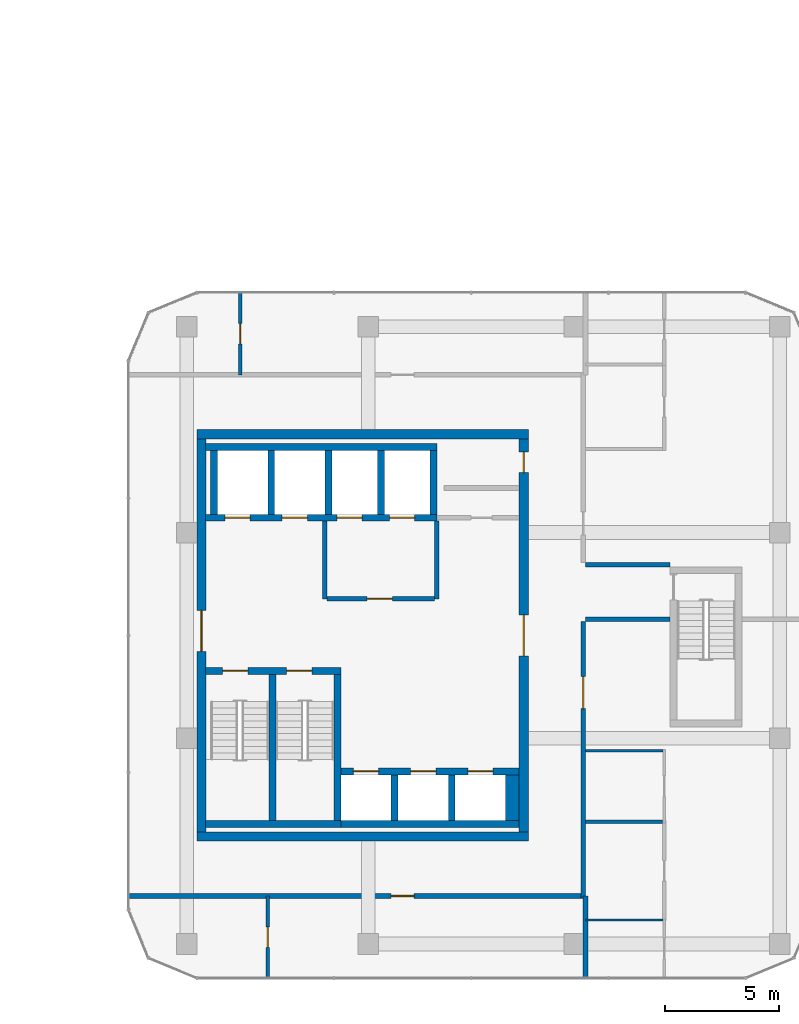
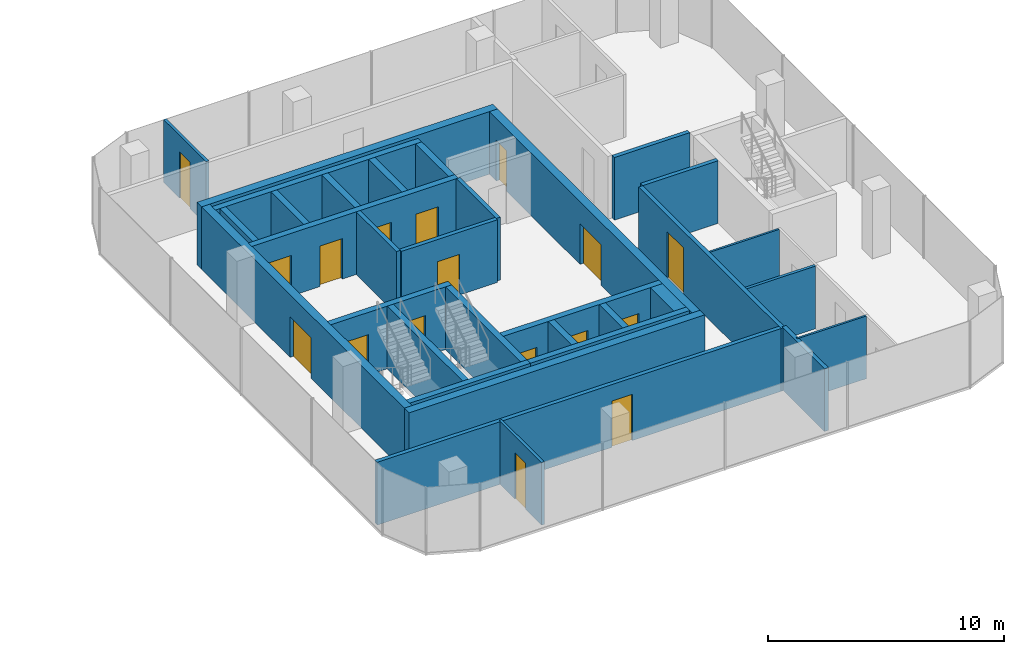
# One storey, part 17 of 22: 33 walls, 17 doors, 17 openings.
"""IFC4 building model written with IfcOpenShell, lengths in metres."""

from ifc_helpers import new_model, si_unit, direction, frame, frame_2d, origin, place, context, subcontext, project, spatial, rectangle, extrude, material, layer, layer_set, type_object, element, fill, save


model = new_model("IFC4")

# Units and contexts
model_context = context("Model", 3, precision=1e-05, world=origin(), true_north=direction((0.0, 1.0)))
body_context = subcontext(model_context, "Body", "Model", "MODEL_VIEW")
ifc_project = project(units=[si_unit("LENGTHUNIT", "METRE"), si_unit("AREAUNIT", "SQUARE_METRE"), si_unit("VOLUMEUNIT", "CUBIC_METRE"), si_unit("PLANEANGLEUNIT", "RADIAN"), si_unit("MASSUNIT", "GRAM", prefix="KILO")], contexts=[model_context])

# Site, building, storey
site_placement = place(None, origin())
site = spatial("IfcSite", under=ifc_project, at=site_placement, CompositionType="ELEMENT")
building_placement = place(site_placement, origin())
building = spatial("IfcBuilding", under=site, at=building_placement, Name="Plateau Cross Towers", CompositionType="ELEMENT")
storey_placement = place(building_placement, frame((0.0, 0.0, 106.300048828125)))
storey = spatial("IfcBuildingStorey", under=building, at=storey_placement, Name="L27", CompositionType="ELEMENT", Elevation=106.300048828125)

# Wall
ifc_material_1 = material(Name="Concrete block, plastered both sides", Category="concrete")
ifc_layer_1 = layer(ifc_material_1, 0.199951171875)
ifc_layer_set_1 = layer_set([ifc_layer_1], Name="Concrete block, plastered both sides")
wall_type_1 = type_object("IfcWallType", Name="Core partition 200", PredefinedType="PARTITIONING", material=ifc_layer_set_1)
wall_1_placement = place(storey_placement, frame((80.60009765625, 10.60009765625, 0.0), z_axis=(0.0, 0.0, 1.0), x_axis=(0.0, 1.0, 0.0)))
element("IfcWall", 1, at=wall_1_placement, inside=storey, type_object=wall_type_1, Name="Core partition", PredefinedType="PARTITIONING", context=body_context, shape_type="SweptSolid", body=[
    extrude(rectangle(XDim=3.39990234375, YDim=0.199951171875, at=frame_2d((1.699951171875, 0.0))), origin(), (0.0, 0.0, 1.0), 3.25),
])

# Wall, opening, door
wall_2_placement = place(storey_placement, frame((80.699951171875, 10.60009765625, 0.0), z_axis=(0.0, 0.0, 1.0), x_axis=(1.0, 0.0, 0.0)))
wall_2 = element("IfcWall", 2, at=wall_2_placement, inside=storey, type_object=wall_type_1, Name="Core partition", PredefinedType="PARTITIONING", context=body_context, shape_type="SweptSolid", body=[
    extrude(rectangle(XDim=4.699951171875, YDim=0.199951171875, at=frame_2d((2.35009765625, 0.0))), origin(), (0.0, 0.0, 1.0), 3.25),
])
opening_1_placement = place(wall_2_placement, frame((1.75, 0.0, 0.0)))
opening_1 = element("IfcOpeningElement", 3, at=opening_1_placement, cuts=wall_2, Name="Opening FFD", PredefinedType="OPENING", context=body_context, shape_type="SweptSolid", body=[
    extrude(rectangle(XDim=1.10009765625, YDim=2.10009765625, at=frame_2d((0.550048828125, 1.050048828125))), frame((0.0, 0.10986328125, 0.0), z_axis=(0.0, -1.0, 0.0), x_axis=(1.0, 0.0, 0.0)), (0.0, 0.0, 1.0), 0.219970703125),
])
ifc_material_2 = material(Name="Steel, fire-resisting leaf", Category="steel")
door_type_1 = type_object("IfcDoorType", Name="Firefighting lobby door 1100", OperationType="NOTDEFINED", PredefinedType="DOOR", material=ifc_material_2)
door_1_placement = place(opening_1_placement, origin())
door_1 = element("IfcDoor", 4, at=door_1_placement, inside=storey, type_object=door_type_1, Name="Firefighting lobby door FFD", OperationType="SINGLE_SWING_LEFT", OverallHeight=2.10009765625, OverallWidth=1.10009765625, PredefinedType="DOOR", context=body_context, shape_type="SweptSolid", body=[
    extrude(rectangle(XDim=1.10009765625, YDim=2.10009765625, at=frame_2d((0.550048828125, 1.050048828125))), frame((0.0, 0.02490234375, 0.0), z_axis=(0.0, -1.0, 0.0), x_axis=(1.0, 0.0, 0.0)), (0.0, 0.0, 1.0), 0.050048828125),
])
fill(opening_1, door_1)

# Walls
wall_3_placement = place(storey_placement, frame((85.5, 10.60009765625, 0.0), z_axis=(0.0, 0.0, 1.0), x_axis=(0.0, 1.0, 0.0)))
element("IfcWall", 5, at=wall_3_placement, inside=storey, type_object=wall_type_1, Name="Core partition", PredefinedType="PARTITIONING", context=body_context, shape_type="SweptSolid", body=[
    extrude(rectangle(XDim=3.39990234375, YDim=0.199951171875, at=frame_2d((1.699951171875, 0.0))), origin(), (0.0, 0.0, 1.0), 3.25),
])
ifc_material_3 = material(Name="Concrete C60/75", Category="concrete")
ifc_layer_2 = layer(ifc_material_3, 0.300048828125)
ifc_layer_set_2 = layer_set([ifc_layer_2], Name="Concrete C60/75")
wall_type_2 = type_object("IfcWallType", Name="Core shaft wall 300", PredefinedType="SHEAR", material=ifc_layer_set_2)
wall_4_placement = place(storey_placement, frame((75.3798828125, 0.75, 0.0), z_axis=(0.0, 0.0, 1.0), x_axis=(1.0, 0.0, 0.0)))
element("IfcWall", 6, at=wall_4_placement, inside=storey, type_object=wall_type_2, Name="B-sb-stS@L27", PredefinedType="SHEAR", context=body_context, shape_type="SweptSolid", body=[
    extrude(rectangle(XDim=5.920166015625, YDim=0.300048828125, at=frame_2d((2.9599609375, 0.0))), origin(), (0.0, 0.0, 1.0), 3.25),
])

# Wall, openings, doors
wall_5_placement = place(storey_placement, frame((75.3798828125, 7.449951171875, 0.0), z_axis=(0.0, 0.0, 1.0), x_axis=(1.0, 0.0, 0.0)))
wall_5 = element("IfcWall", 7, at=wall_5_placement, inside=storey, type_object=wall_type_2, Name="B-sb-stN@L27", PredefinedType="SHEAR", context=body_context, shape_type="SweptSolid", body=[
    extrude(rectangle(XDim=5.920166015625, YDim=0.300048828125, at=frame_2d((2.9599609375, 0.0))), origin(), (0.0, 0.0, 1.0), 3.25),
])
opening_2_placement = place(wall_5_placement, frame((0.75, 0.0, 0.0)))
opening_2 = element("IfcOpeningElement", 8, at=opening_2_placement, cuts=wall_5, Name="Opening SD", PredefinedType="OPENING", context=body_context, shape_type="SweptSolid", body=[
    extrude(rectangle(XDim=1.10009765625, YDim=2.10009765625, at=frame_2d((0.550048828125, 1.050048828125))), frame((0.0, 0.159912109375, 0.0), z_axis=(0.0, -1.0, 0.0), x_axis=(1.0, 0.0, 0.0)), (0.0, 0.0, 1.0), 0.320068359375),
])
opening_3_placement = place(wall_5_placement, frame((3.550048828125, 0.0, 0.0)))
opening_3 = element("IfcOpeningElement", 9, at=opening_3_placement, cuts=wall_5, Name="Opening SD", PredefinedType="OPENING", context=body_context, shape_type="SweptSolid", body=[
    extrude(rectangle(XDim=1.10009765625, YDim=2.10009765625, at=frame_2d((0.550048828125, 1.050048828125))), frame((0.0, 0.159912109375, 0.0), z_axis=(0.0, -1.0, 0.0), x_axis=(1.0, 0.0, 0.0)), (0.0, 0.0, 1.0), 0.320068359375),
])
door_type_2 = type_object("IfcDoorType", Name="Stair door 1100", OperationType="NOTDEFINED", PredefinedType="DOOR", material=ifc_material_2)
door_2_placement = place(opening_2_placement, origin())
door_2 = element("IfcDoor", 10, at=door_2_placement, inside=storey, type_object=door_type_2, Name="Stair door SD", OperationType="SINGLE_SWING_RIGHT", OverallHeight=2.10009765625, OverallWidth=1.10009765625, PredefinedType="DOOR", context=body_context, shape_type="SweptSolid", body=[
    extrude(rectangle(XDim=1.10009765625, YDim=2.10009765625, at=frame_2d((0.550048828125, 1.050048828125))), frame((0.0, 0.02490234375, 0.0), z_axis=(0.0, -1.0, 0.0), x_axis=(1.0, 0.0, 0.0)), (0.0, 0.0, 1.0), 0.050048828125),
])
fill(opening_2, door_2)
door_3_placement = place(opening_3_placement, origin())
door_3 = element("IfcDoor", 11, at=door_3_placement, inside=storey, type_object=door_type_2, Name="Stair door SD", OperationType="SINGLE_SWING_LEFT", OverallHeight=2.10009765625, OverallWidth=1.10009765625, PredefinedType="DOOR", context=body_context, shape_type="SweptSolid", body=[
    extrude(rectangle(XDim=1.10009765625, YDim=2.10009765625, at=frame_2d((0.550048828125, 1.050048828125))), frame((0.0, 0.02490234375, 0.0), z_axis=(0.0, -1.0, 0.0), x_axis=(1.0, 0.0, 0.0)), (0.0, 0.0, 1.0), 0.050048828125),
])
fill(opening_3, door_3)

# Walls
for number, where, z_axis, x_axis, name in (
    (12, (78.300048828125, 0.89990234375, 0.0), (0.0, 0.0, 1.0), (0.0, 1.0, 0.0), "B-sb-st1@L27"),
    (13, (81.14990234375, 0.89990234375, 0.0), (0.0, 0.0, 1.0), (0.0, 1.0, 0.0), "B-sb-st2@L27"),
):
    element("IfcWall", number, at=place(storey_placement, frame(where, z_axis=z_axis, x_axis=x_axis)), inside=storey, type_object=wall_type_2, Name=name, PredefinedType="SHEAR", context=body_context, shape_type="SweptSolid", body=[
        extrude(rectangle(XDim=6.400146484375, YDim=0.300048828125, at=frame_2d((3.2001953125, 0.0))), origin(), (0.0, 0.0, 1.0), 3.25),
    ])
wall_6_placement = place(storey_placement, frame((81.300048828125, 0.75, 0.0), z_axis=(0.0, 0.0, 1.0), x_axis=(1.0, 0.0, 0.0)))
element("IfcWall", 14, at=wall_6_placement, inside=storey, type_object=wall_type_2, Name="B-sb-back@L27", PredefinedType="SHEAR", context=body_context, shape_type="SweptSolid", body=[
    extrude(rectangle(XDim=7.800048828125, YDim=0.300048828125, at=frame_2d((3.89990234375, 0.0))), origin(), (0.0, 0.0, 1.0), 3.25),
])
for number, where, z_axis, x_axis, name in (
    (15, (83.64990234375, 0.89990234375, 0.0), (0.0, 0.0, 1.0), (0.0, 1.0, 0.0), "B-sb-v1@L27"),
    (16, (86.14990234375, 0.89990234375, 0.0), (0.0, 0.0, 1.0), (0.0, 1.0, 0.0), "B-sb-v2@L27"),
):
    element("IfcWall", number, at=place(storey_placement, frame(where, z_axis=z_axis, x_axis=x_axis)), inside=storey, type_object=wall_type_2, Name=name, PredefinedType="SHEAR", context=body_context, shape_type="SweptSolid", body=[
        extrude(rectangle(XDim=2.0, YDim=0.300048828125, at=frame_2d((1.0, 0.0))), origin(), (0.0, 0.0, 1.0), 3.25),
    ])

# Wall, openings, doors
wall_7_placement = place(storey_placement, frame((81.300048828125, 3.050048828125, 0.0), z_axis=(0.0, 0.0, 1.0), x_axis=(1.0, 0.0, 0.0)))
wall_7 = element("IfcWall", 17, at=wall_7_placement, inside=storey, type_object=wall_type_2, Name="B-sb-front@L27", PredefinedType="SHEAR", context=body_context, shape_type="SweptSolid", body=[
    extrude(rectangle(XDim=7.800048828125, YDim=0.300048828125, at=frame_2d((3.89990234375, 0.0))), origin(), (0.0, 0.0, 1.0), 3.25),
])
opening_4_placement = place(wall_7_placement, frame((0.550048828125, 0.0, 0.0)))
opening_4 = element("IfcOpeningElement", 18, at=opening_4_placement, cuts=wall_7, Name="Opening LD", PredefinedType="OPENING", context=body_context, shape_type="SweptSolid", body=[
    extrude(rectangle(XDim=1.10009765625, YDim=2.10009765625, at=frame_2d((0.550048828125, 1.050048828125))), frame((0.0, 0.159912109375, 0.0), z_axis=(0.0, -1.0, 0.0), x_axis=(1.0, 0.0, 0.0)), (0.0, 0.0, 1.0), 0.320068359375),
])
opening_5_placement = place(wall_7_placement, frame((3.050048828125, 0.0, 0.0)))
opening_5 = element("IfcOpeningElement", 19, at=opening_5_placement, cuts=wall_7, Name="Opening LD", PredefinedType="OPENING", context=body_context, shape_type="SweptSolid", body=[
    extrude(rectangle(XDim=1.10009765625, YDim=2.10009765625, at=frame_2d((0.550048828125, 1.050048828125))), frame((0.0, 0.159912109375, 0.0), z_axis=(0.0, -1.0, 0.0), x_axis=(1.0, 0.0, 0.0)), (0.0, 0.0, 1.0), 0.320068359375),
])
opening_6_placement = place(wall_7_placement, frame((5.550048828125, 0.0, 0.0)))
opening_6 = element("IfcOpeningElement", 20, at=opening_6_placement, cuts=wall_7, Name="Opening LD", PredefinedType="OPENING", context=body_context, shape_type="SweptSolid", body=[
    extrude(rectangle(XDim=1.10009765625, YDim=2.10009765625, at=frame_2d((0.550048828125, 1.050048828125))), frame((0.0, 0.159912109375, 0.0), z_axis=(0.0, -1.0, 0.0), x_axis=(1.0, 0.0, 0.0)), (0.0, 0.0, 1.0), 0.320068359375),
])
ifc_material_4 = material(Name="Stainless steel, fire-resisting sliding leaves", Category="steel")
door_type_3 = type_object("IfcDoorType", Name="Lift landing door 1100", OperationType="NOTDEFINED", PredefinedType="DOOR", material=ifc_material_4)
door_4_placement = place(opening_4_placement, origin())
door_4 = element("IfcDoor", 21, at=door_4_placement, inside=storey, type_object=door_type_3, Name="Lift landing door LD", OperationType="DOUBLE_DOOR_SLIDING", OverallHeight=2.10009765625, OverallWidth=1.10009765625, PredefinedType="DOOR", context=body_context, shape_type="SweptSolid", body=[
    extrude(rectangle(XDim=1.10009765625, YDim=2.10009765625, at=frame_2d((0.550048828125, 1.050048828125))), frame((0.0, 0.02490234375, 0.0), z_axis=(0.0, -1.0, 0.0), x_axis=(1.0, 0.0, 0.0)), (0.0, 0.0, 1.0), 0.050048828125),
])
fill(opening_4, door_4)
door_5_placement = place(opening_5_placement, origin())
door_5 = element("IfcDoor", 22, at=door_5_placement, inside=storey, type_object=door_type_3, Name="Lift landing door LD", OperationType="DOUBLE_DOOR_SLIDING", OverallHeight=2.10009765625, OverallWidth=1.10009765625, PredefinedType="DOOR", context=body_context, shape_type="SweptSolid", body=[
    extrude(rectangle(XDim=1.10009765625, YDim=2.10009765625, at=frame_2d((0.550048828125, 1.050048828125))), frame((0.0, 0.02490234375, 0.0), z_axis=(0.0, -1.0, 0.0), x_axis=(1.0, 0.0, 0.0)), (0.0, 0.0, 1.0), 0.050048828125),
])
fill(opening_5, door_5)
door_6_placement = place(opening_6_placement, origin())
door_6 = element("IfcDoor", 23, at=door_6_placement, inside=storey, type_object=door_type_3, Name="Lift landing door LD", OperationType="DOUBLE_DOOR_SLIDING", OverallHeight=2.10009765625, OverallWidth=1.10009765625, PredefinedType="DOOR", context=body_context, shape_type="SweptSolid", body=[
    extrude(rectangle(XDim=1.10009765625, YDim=2.10009765625, at=frame_2d((0.550048828125, 1.050048828125))), frame((0.0, 0.02490234375, 0.0), z_axis=(0.0, -1.0, 0.0), x_axis=(1.0, 0.0, 0.0)), (0.0, 0.0, 1.0), 0.050048828125),
])
fill(opening_6, door_6)

# Wall
wall_8_placement = place(storey_placement, frame((75.3798828125, 17.25, 0.0), z_axis=(0.0, 0.0, 1.0), x_axis=(1.0, 0.0, 0.0)))
element("IfcWall", 24, at=wall_8_placement, inside=storey, type_object=wall_type_2, Name="B-nb-back@L27", PredefinedType="SHEAR", context=body_context, shape_type="SweptSolid", body=[
    extrude(rectangle(XDim=10.1201171875, YDim=0.300048828125, at=frame_2d((5.06005859375, 0.0))), origin(), (0.0, 0.0, 1.0), 3.25),
])

# Wall, openings, doors
wall_9_placement = place(storey_placement, frame((75.3798828125, 14.14990234375, 0.0), z_axis=(0.0, 0.0, 1.0), x_axis=(1.0, 0.0, 0.0)))
wall_9 = element("IfcWall", 25, at=wall_9_placement, inside=storey, type_object=wall_type_2, Name="B-nb-front@L27", PredefinedType="SHEAR", context=body_context, shape_type="SweptSolid", body=[
    extrude(rectangle(XDim=10.1201171875, YDim=0.300048828125, at=frame_2d((5.06005859375, 0.0))), origin(), (0.0, 0.0, 1.0), 3.25),
])
opening_7_placement = place(wall_9_placement, frame((0.85009765625, 0.0, 0.0)))
opening_7 = element("IfcOpeningElement", 26, at=opening_7_placement, cuts=wall_9, Name="Opening LD", PredefinedType="OPENING", context=body_context, shape_type="SweptSolid", body=[
    extrude(rectangle(XDim=1.10009765625, YDim=2.10009765625, at=frame_2d((0.550048828125, 1.050048828125))), frame((0.0, 0.159912109375, 0.0), z_axis=(0.0, -1.0, 0.0), x_axis=(1.0, 0.0, 0.0)), (0.0, 0.0, 1.0), 0.320068359375),
])
opening_8_placement = place(wall_9_placement, frame((3.35009765625, 0.0, 0.0)))
opening_8 = element("IfcOpeningElement", 27, at=opening_8_placement, cuts=wall_9, Name="Opening LD", PredefinedType="OPENING", context=body_context, shape_type="SweptSolid", body=[
    extrude(rectangle(XDim=1.10009765625, YDim=2.10009765625, at=frame_2d((0.550048828125, 1.050048828125))), frame((0.0, 0.159912109375, 0.0), z_axis=(0.0, -1.0, 0.0), x_axis=(1.0, 0.0, 0.0)), (0.0, 0.0, 1.0), 0.320068359375),
])
opening_9_placement = place(wall_9_placement, frame((5.75, 0.0, 0.0)))
opening_9 = element("IfcOpeningElement", 28, at=opening_9_placement, cuts=wall_9, Name="Opening LD", PredefinedType="OPENING", context=body_context, shape_type="SweptSolid", body=[
    extrude(rectangle(XDim=1.10009765625, YDim=2.10009765625, at=frame_2d((0.550048828125, 1.050048828125))), frame((0.0, 0.159912109375, 0.0), z_axis=(0.0, -1.0, 0.0), x_axis=(1.0, 0.0, 0.0)), (0.0, 0.0, 1.0), 0.320068359375),
])
opening_10_placement = place(wall_9_placement, frame((8.050048828125, 0.0, 0.0)))
opening_10 = element("IfcOpeningElement", 29, at=opening_10_placement, cuts=wall_9, Name="Opening LD", PredefinedType="OPENING", context=body_context, shape_type="SweptSolid", body=[
    extrude(rectangle(XDim=1.10009765625, YDim=2.10009765625, at=frame_2d((0.550048828125, 1.050048828125))), frame((0.0, 0.159912109375, 0.0), z_axis=(0.0, -1.0, 0.0), x_axis=(1.0, 0.0, 0.0)), (0.0, 0.0, 1.0), 0.320068359375),
])
door_7_placement = place(opening_7_placement, origin())
door_7 = element("IfcDoor", 30, at=door_7_placement, inside=storey, type_object=door_type_3, Name="Lift landing door LD", OperationType="DOUBLE_DOOR_SLIDING", OverallHeight=2.10009765625, OverallWidth=1.10009765625, PredefinedType="DOOR", context=body_context, shape_type="SweptSolid", body=[
    extrude(rectangle(XDim=1.10009765625, YDim=2.10009765625, at=frame_2d((0.550048828125, 1.050048828125))), frame((0.0, 0.02490234375, 0.0), z_axis=(0.0, -1.0, 0.0), x_axis=(1.0, 0.0, 0.0)), (0.0, 0.0, 1.0), 0.050048828125),
])
fill(opening_7, door_7)
door_8_placement = place(opening_8_placement, origin())
door_8 = element("IfcDoor", 31, at=door_8_placement, inside=storey, type_object=door_type_3, Name="Lift landing door LD", OperationType="DOUBLE_DOOR_SLIDING", OverallHeight=2.10009765625, OverallWidth=1.10009765625, PredefinedType="DOOR", context=body_context, shape_type="SweptSolid", body=[
    extrude(rectangle(XDim=1.10009765625, YDim=2.10009765625, at=frame_2d((0.550048828125, 1.050048828125))), frame((0.0, 0.02490234375, 0.0), z_axis=(0.0, -1.0, 0.0), x_axis=(1.0, 0.0, 0.0)), (0.0, 0.0, 1.0), 0.050048828125),
])
fill(opening_8, door_8)
door_9_placement = place(opening_9_placement, origin())
door_9 = element("IfcDoor", 32, at=door_9_placement, inside=storey, type_object=door_type_3, Name="Lift landing door LD", OperationType="DOUBLE_DOOR_SLIDING", OverallHeight=2.10009765625, OverallWidth=1.10009765625, PredefinedType="DOOR", context=body_context, shape_type="SweptSolid", body=[
    extrude(rectangle(XDim=1.10009765625, YDim=2.10009765625, at=frame_2d((0.550048828125, 1.050048828125))), frame((0.0, 0.02490234375, 0.0), z_axis=(0.0, -1.0, 0.0), x_axis=(1.0, 0.0, 0.0)), (0.0, 0.0, 1.0), 0.050048828125),
])
fill(opening_9, door_9)
door_10_placement = place(opening_10_placement, origin())
door_10 = element("IfcDoor", 33, at=door_10_placement, inside=storey, type_object=door_type_3, Name="Lift landing door LD", OperationType="DOUBLE_DOOR_SLIDING", OverallHeight=2.10009765625, OverallWidth=1.10009765625, PredefinedType="DOOR", context=body_context, shape_type="SweptSolid", body=[
    extrude(rectangle(XDim=1.10009765625, YDim=2.10009765625, at=frame_2d((0.550048828125, 1.050048828125))), frame((0.0, 0.02490234375, 0.0), z_axis=(0.0, -1.0, 0.0), x_axis=(1.0, 0.0, 0.0)), (0.0, 0.0, 1.0), 0.050048828125),
])
fill(opening_10, door_10)

# Walls
for number, where, z_axis, x_axis, name in (
    (34, (75.75, 14.300048828125, 0.0), (0.0, 0.0, 1.0), (0.0, 1.0, 0.0), "B-nb-v0@L27"),
    (35, (78.25, 14.300048828125, 0.0), (0.0, 0.0, 1.0), (0.0, 1.0, 0.0), "B-nb-v1@L27"),
    (36, (80.75, 14.300048828125, 0.0), (0.0, 0.0, 1.0), (0.0, 1.0, 0.0), "B-nb-v2@L27"),
    (37, (83.050048828125, 14.300048828125, 0.0), (0.0, 0.0, 1.0), (0.0, 1.0, 0.0), "B-nb-v3@L27"),
    (38, (85.35009765625, 14.300048828125, 0.0), (0.0, 0.0, 1.0), (0.0, 1.0, 0.0), "B-nb-v4@L27"),
):
    element("IfcWall", number, at=place(storey_placement, frame(where, z_axis=z_axis, x_axis=x_axis)), inside=storey, type_object=wall_type_2, Name=name, PredefinedType="SHEAR", context=body_context, shape_type="SweptSolid", body=[
        extrude(rectangle(XDim=2.800048828125, YDim=0.300048828125, at=frame_2d((1.39990234375, 0.0))), origin(), (0.0, 0.0, 1.0), 3.25),
    ])
ifc_layer_3 = layer(ifc_material_3, 0.60009765625)
ifc_layer_set_3 = layer_set([ifc_layer_3], Name="Concrete C60/75")
wall_type_3 = type_object("IfcWallType", Name="Core shaft wall 600", PredefinedType="SHEAR", material=ifc_layer_set_3)
wall_10_placement = place(storey_placement, frame((88.800048828125, 0.89990234375, 0.0), z_axis=(0.0, 0.0, 1.0), x_axis=(0.0, 1.0, 0.0)))
element("IfcWall", 39, at=wall_10_placement, inside=storey, type_object=wall_type_3, Name="B-sb-v3@L27", PredefinedType="SHEAR", context=body_context, shape_type="SweptSolid", body=[
    extrude(rectangle(XDim=2.0, YDim=0.60009765625, at=frame_2d((1.0, 0.0))), origin(), (0.0, 0.0, 1.0), 3.25),
])
ifc_layer_4 = layer(ifc_material_3, 0.39990234375)
ifc_layer_set_4 = layer_set([ifc_layer_4], Name="Concrete C60/75")
wall_type_4 = type_object("IfcWallType", Name="Core shell wall 400", PredefinedType="SHEAR", material=ifc_layer_set_4)
for number, where, z_axis, x_axis, name in (
    (40, (75.0, 0.199951171875, 0.0), (0.0, 0.0, 1.0), (1.0, 0.0, 0.0), "B-core-S@L27"),
    (41, (75.0, 17.800048828125, 0.0), (0.0, 0.0, 1.0), (1.0, 0.0, 0.0), "B-core-N@L27"),
):
    element("IfcWall", number, at=place(storey_placement, frame(where, z_axis=z_axis, x_axis=x_axis)), inside=storey, type_object=wall_type_4, Name=name, PredefinedType="SHEAR", context=body_context, shape_type="SweptSolid", body=[
        extrude(rectangle(XDim=14.5, YDim=0.39990234375, at=frame_2d((7.25, 0.0))), origin(), (0.0, 0.0, 1.0), 3.25),
    ])

# Wall, opening, door
wall_11_placement = place(storey_placement, frame((75.199951171875, 0.39990234375, 0.0), z_axis=(0.0, 0.0, 1.0), x_axis=(0.0, 1.0, 0.0)))
wall_11 = element("IfcWall", 42, at=wall_11_placement, inside=storey, type_object=wall_type_4, Name="B-core-W@L27", PredefinedType="SHEAR", context=body_context, shape_type="SweptSolid", body=[
    extrude(rectangle(XDim=17.2001953125, YDim=0.39990234375, at=frame_2d((8.60009765625, 0.0))), origin(), (0.0, 0.0, 1.0), 3.25),
])
opening_11_placement = place(wall_11_placement, frame((7.89990234375, 0.0, 0.0)))
opening_11 = element("IfcOpeningElement", 43, at=opening_11_placement, cuts=wall_11, Name="Opening CD", PredefinedType="OPENING", context=body_context, shape_type="SweptSolid", body=[
    extrude(rectangle(XDim=1.800048828125, YDim=2.10009765625, at=frame_2d((0.89990234375, 1.050048828125))), frame((0.0, 0.2099609375, 0.0), z_axis=(0.0, -1.0, 0.0), x_axis=(1.0, 0.0, 0.0)), (0.0, 0.0, 1.0), 0.419921875),
])
ifc_material_5 = material(Name="Steel, fire-resisting leaves", Category="steel")
door_type_4 = type_object("IfcDoorType", Name="Corridor door pair 1800", OperationType="NOTDEFINED", PredefinedType="DOOR", material=ifc_material_5)
door_11_placement = place(opening_11_placement, origin())
door_11 = element("IfcDoor", 44, at=door_11_placement, inside=storey, type_object=door_type_4, Name="Corridor door pair CD", OperationType="DOUBLE_DOOR_SINGLE_SWING", OverallHeight=2.10009765625, OverallWidth=1.800048828125, PredefinedType="DOOR", context=body_context, shape_type="SweptSolid", body=[
    extrude(rectangle(XDim=1.800048828125, YDim=2.10009765625, at=frame_2d((0.89990234375, 1.050048828125))), frame((0.0, 0.02490234375, 0.0), z_axis=(0.0, -1.0, 0.0), x_axis=(1.0, 0.0, 0.0)), (0.0, 0.0, 1.0), 0.050048828125),
])
fill(opening_11, door_11)

# Wall, openings, doors
wall_12_placement = place(storey_placement, frame((89.300048828125, 0.39990234375, 0.0), z_axis=(0.0, 0.0, 1.0), x_axis=(0.0, 1.0, 0.0)))
wall_12 = element("IfcWall", 45, at=wall_12_placement, inside=storey, type_object=wall_type_4, Name="B-core-E@L27", PredefinedType="SHEAR", context=body_context, shape_type="SweptSolid", body=[
    extrude(rectangle(XDim=17.2001953125, YDim=0.39990234375, at=frame_2d((8.60009765625, 0.0))), origin(), (0.0, 0.0, 1.0), 3.25),
])
opening_12_placement = place(wall_12_placement, frame((7.699951171875, 0.0, 0.0)))
opening_12 = element("IfcOpeningElement", 46, at=opening_12_placement, cuts=wall_12, Name="Opening CD", PredefinedType="OPENING", context=body_context, shape_type="SweptSolid", body=[
    extrude(rectangle(XDim=1.800048828125, YDim=2.10009765625, at=frame_2d((0.89990234375, 1.050048828125))), frame((0.0, 0.2099609375, 0.0), z_axis=(0.0, -1.0, 0.0), x_axis=(1.0, 0.0, 0.0)), (0.0, 0.0, 1.0), 0.419921875),
])
opening_13_placement = place(wall_12_placement, frame((15.72509765625, 0.0, 0.0)))
opening_13 = element("IfcOpeningElement", 47, at=opening_13_placement, cuts=wall_12, Name="Opening RD2", PredefinedType="OPENING", context=body_context, shape_type="SweptSolid", body=[
    extrude(rectangle(XDim=0.89990234375, YDim=2.10009765625, at=frame_2d((0.449951171875, 1.050048828125))), frame((0.0, 0.2099609375, 0.0), z_axis=(0.0, -1.0, 0.0), x_axis=(1.0, 0.0, 0.0)), (0.0, 0.0, 1.0), 0.419921875),
])
door_type_5 = type_object("IfcDoorType", Name="Core riser door 900", OperationType="NOTDEFINED", PredefinedType="DOOR", material=ifc_material_2)
door_12_placement = place(opening_13_placement, origin())
door_12 = element("IfcDoor", 48, at=door_12_placement, inside=storey, type_object=door_type_5, Name="Core riser door RD2", OperationType="SINGLE_SWING_LEFT", OverallHeight=2.10009765625, OverallWidth=0.89990234375, PredefinedType="DOOR", context=body_context, shape_type="SweptSolid", body=[
    extrude(rectangle(XDim=0.89990234375, YDim=2.10009765625, at=frame_2d((0.449951171875, 1.050048828125))), frame((0.0, 0.02490234375, 0.0), z_axis=(0.0, -1.0, 0.0), x_axis=(1.0, 0.0, 0.0)), (0.0, 0.0, 1.0), 0.050048828125),
])
fill(opening_13, door_12)
door_13_placement = place(opening_12_placement, origin())
door_13 = element("IfcDoor", 49, at=door_13_placement, inside=storey, type_object=door_type_4, Name="Corridor door pair CD", OperationType="DOUBLE_DOOR_SINGLE_SWING", OverallHeight=2.10009765625, OverallWidth=1.800048828125, PredefinedType="DOOR", context=body_context, shape_type="SweptSolid", body=[
    extrude(rectangle(XDim=1.800048828125, YDim=2.10009765625, at=frame_2d((0.89990234375, 1.050048828125))), frame((0.0, 0.02490234375, 0.0), z_axis=(0.0, -1.0, 0.0), x_axis=(1.0, 0.0, 0.0)), (0.0, 0.0, 1.0), 0.050048828125),
])
fill(opening_12, door_13)

# Wall, opening, door
ifc_material_6 = material(Name="Gypsum board on steel studs, two layers each side", Category="steel")
ifc_layer_5 = layer(ifc_material_6, 0.199951171875)
ifc_layer_set_5 = layer_set([ifc_layer_5], Name="Gypsum board on steel studs, two layers each side")
wall_type_5 = type_object("IfcWallType", Name="Corridor wall 200", PredefinedType="PARTITIONING", material=ifc_layer_set_5)
wall_13_placement = place(storey_placement, frame((72.0, -2.39990234375, 0.0), z_axis=(0.0, 0.0, 1.0), x_axis=(1.0, 0.0, 0.0)))
wall_13 = element("IfcWall", 50, at=wall_13_placement, inside=storey, type_object=wall_type_5, Name="Ring wall", PredefinedType="PARTITIONING", context=body_context, shape_type="SweptSolid", body=[
    extrude(rectangle(XDim=20.0, YDim=0.199951171875, at=frame_2d((10.0, 0.0))), origin(), (0.0, 0.0, 1.0), 3.25),
])
opening_14_placement = place(wall_13_placement, frame((11.5, 0.0, 0.0)))
opening_14 = element("IfcOpeningElement", 51, at=opening_14_placement, cuts=wall_13, Name="Opening D-BO10", PredefinedType="OPENING", context=body_context, shape_type="SweptSolid", body=[
    extrude(rectangle(XDim=1.0, YDim=2.39990234375, at=frame_2d((0.5, 1.199951171875))), frame((0.0, 0.10986328125, 0.0), z_axis=(0.0, -1.0, 0.0), x_axis=(1.0, 0.0, 0.0)), (0.0, 0.0, 1.0), 0.219970703125),
])
ifc_material_7 = material(Name="Fire-resisting glazed leaf in a steel frame", Category="steel")
door_type_6 = type_object("IfcDoorType", Name="Office glazed entrance leaf 1000x2400", OperationType="NOTDEFINED", PredefinedType="DOOR", material=ifc_material_7)
door_14_placement = place(opening_14_placement, origin())
door_14 = element("IfcDoor", 52, at=door_14_placement, inside=storey, type_object=door_type_6, Name="Door D-BO10", OperationType="SINGLE_SWING_LEFT", OverallHeight=2.39990234375, OverallWidth=1.0, PredefinedType="DOOR", context=body_context, shape_type="SweptSolid", body=[
    extrude(rectangle(XDim=1.0, YDim=2.39990234375, at=frame_2d((0.5, 1.199951171875))), frame((0.0, 0.02490234375, 0.0), z_axis=(0.0, -1.0, 0.0), x_axis=(1.0, 0.0, 0.0)), (0.0, 0.0, 1.0), 0.050048828125),
])
fill(opening_14, door_14)

wall_14_placement = place(storey_placement, frame((91.89990234375, -2.5, 0.0), z_axis=(0.0, 0.0, 1.0), x_axis=(0.0, 1.0, 0.0)))
wall_14 = element("IfcWall", 53, at=wall_14_placement, inside=storey, type_object=wall_type_5, Name="Ring wall", PredefinedType="PARTITIONING", context=body_context, shape_type="SweptSolid", body=[
    extrude(rectangle(XDim=12.10009765625, YDim=0.199951171875, at=frame_2d((6.050048828125, 0.0))), origin(), (0.0, 0.0, 1.0), 3.25),
])
opening_15_placement = place(wall_14_placement, frame((8.300048828125, 0.0, 0.0)))
opening_15 = element("IfcOpeningElement", 54, at=opening_15_placement, cuts=wall_14, Name="Opening D-BE14", PredefinedType="OPENING", context=body_context, shape_type="SweptSolid", body=[
    extrude(rectangle(XDim=1.39990234375, YDim=2.39990234375, at=frame_2d((0.699951171875, 1.199951171875))), frame((0.0, 0.10986328125, 0.0), z_axis=(0.0, -1.0, 0.0), x_axis=(1.0, 0.0, 0.0)), (0.0, 0.0, 1.0), 0.219970703125),
])
ifc_material_8 = material(Name="Timber, fire-resisting leaves", Category="wood")
door_type_7 = type_object("IfcDoorType", Name="Tenant entrance double-leaf 1400x2400", OperationType="NOTDEFINED", PredefinedType="DOOR", material=ifc_material_8)
door_15_placement = place(opening_15_placement, origin())
door_15 = element("IfcDoor", 55, at=door_15_placement, inside=storey, type_object=door_type_7, Name="Door D-BE14", OperationType="DOUBLE_DOOR_SINGLE_SWING", OverallHeight=2.39990234375, OverallWidth=1.39990234375, PredefinedType="DOOR", context=body_context, shape_type="SweptSolid", body=[
    extrude(rectangle(XDim=1.39990234375, YDim=2.39990234375, at=frame_2d((0.699951171875, 1.199951171875))), frame((0.0, 0.02490234375, 0.0), z_axis=(0.0, -1.0, 0.0), x_axis=(1.0, 0.0, 0.0)), (0.0, 0.0, 1.0), 0.050048828125),
])
fill(opening_15, door_15)

# Walls
for number, where, z_axis, x_axis, name in (
    (56, (92.0, 9.699951171875, 0.0), (0.0, 0.0, 1.0), (1.0, 0.0, 0.0), "Ring wall"),
    (57, (92.0, 12.10009765625, 0.0), (0.0, 0.0, 1.0), (1.0, 0.0, 0.0), "Ring wall"),
):
    element("IfcWall", number, at=place(storey_placement, frame(where, z_axis=z_axis, x_axis=x_axis)), inside=storey, type_object=wall_type_5, Name=name, PredefinedType="PARTITIONING", context=body_context, shape_type="SweptSolid", body=[
        extrude(rectangle(XDim=3.699951171875, YDim=0.199951171875, at=frame_2d((1.85009765625, 0.0))), origin(), (0.0, 0.0, 1.0), 3.25),
    ])

# Wall, opening, door
ifc_material_9 = material(Name="Gypsum board on staggered steel studs, mineral wool, two layers each side", Category="steel")
ifc_layer_6 = layer(ifc_material_9, 0.139892578125)
ifc_layer_set_6 = layer_set([ifc_layer_6], Name="Gypsum board on staggered steel studs, mineral wool, two layers each side")
wall_type_6 = type_object("IfcWallType", Name="Meeting room acoustic partition 140", PredefinedType="PARTITIONING", material=ifc_layer_set_6)
wall_15_placement = place(storey_placement, frame((78.10009765625, -6.0, 0.0), z_axis=(0.0, 0.0, 1.0), x_axis=(0.0, 1.0, 0.0)))
wall_15 = element("IfcWall", 58, at=wall_15_placement, inside=storey, type_object=wall_type_6, Name="Acoustic wall", PredefinedType="PARTITIONING", context=body_context, shape_type="SweptSolid", body=[
    extrude(rectangle(XDim=3.60009765625, YDim=0.139892578125, at=frame_2d((1.800048828125, 0.0))), origin(), (0.0, 0.0, 1.0), 3.25),
])
opening_16_placement = place(wall_15_placement, frame((1.35009765625, 0.0, 0.0)))
opening_16 = element("IfcOpeningElement", 59, at=opening_16_placement, cuts=wall_15, Name="Opening D-BM9", PredefinedType="OPENING", context=body_context, shape_type="SweptSolid", body=[
    extrude(rectangle(XDim=0.89990234375, YDim=2.39990234375, at=frame_2d((0.449951171875, 1.199951171875))), frame((0.0, 0.079833984375, 0.0), z_axis=(0.0, -1.0, 0.0), x_axis=(1.0, 0.0, 0.0)), (0.0, 0.0, 1.0), 0.159912109375),
])
ifc_material_10 = material(Name="Timber leaf, full height", Category="wood")
door_type_8 = type_object("IfcDoorType", Name="Meeting room door 900x2400", OperationType="NOTDEFINED", PredefinedType="DOOR", material=ifc_material_10)
door_16_placement = place(opening_16_placement, origin())
door_16 = element("IfcDoor", 60, at=door_16_placement, inside=storey, type_object=door_type_8, Name="Door D-BM9", OperationType="SINGLE_SWING_LEFT", OverallHeight=2.39990234375, OverallWidth=0.89990234375, PredefinedType="DOOR", context=body_context, shape_type="SweptSolid", body=[
    extrude(rectangle(XDim=0.89990234375, YDim=2.39990234375, at=frame_2d((0.449951171875, 1.199951171875))), frame((0.0, 0.02490234375, 0.0), z_axis=(0.0, -1.0, 0.0), x_axis=(1.0, 0.0, 0.0)), (0.0, 0.0, 1.0), 0.050048828125),
])
fill(opening_16, door_16)

# Wall
wall_16_placement = place(storey_placement, frame((92.0, 0.85009765625, 0.0), z_axis=(0.0, 0.0, 1.0), x_axis=(1.0, 0.0, 0.0)))
element("IfcWall", 61, at=wall_16_placement, inside=storey, type_object=wall_type_6, Name="Acoustic wall", PredefinedType="PARTITIONING", context=body_context, shape_type="SweptSolid", body=[
    extrude(rectangle(XDim=3.3798828125, YDim=0.139892578125, at=frame_2d((1.68994140625, 0.0))), origin(), (0.0, 0.0, 1.0), 3.25),
])

# Wall, opening, door
wall_17_placement = place(storey_placement, frame((76.89990234375, 20.39990234375, 0.0), z_axis=(0.0, 0.0, 1.0), x_axis=(0.0, 1.0, 0.0)))
wall_17 = element("IfcWall", 62, at=wall_17_placement, inside=storey, type_object=wall_type_6, Name="Acoustic wall", PredefinedType="PARTITIONING", context=body_context, shape_type="SweptSolid", body=[
    extrude(rectangle(XDim=3.60009765625, YDim=0.139892578125, at=frame_2d((1.800048828125, 0.0))), origin(), (0.0, 0.0, 1.0), 3.25),
])
opening_17_placement = place(wall_17_placement, frame((1.35009765625, 0.0, 0.0)))
opening_17 = element("IfcOpeningElement", 63, at=opening_17_placement, cuts=wall_17, Name="Opening D-BM9", PredefinedType="OPENING", context=body_context, shape_type="SweptSolid", body=[
    extrude(rectangle(XDim=0.89990234375, YDim=2.39990234375, at=frame_2d((0.449951171875, 1.199951171875))), frame((0.0, 0.079833984375, 0.0), z_axis=(0.0, -1.0, 0.0), x_axis=(1.0, 0.0, 0.0)), (0.0, 0.0, 1.0), 0.159912109375),
])
door_17_placement = place(opening_17_placement, origin())
door_17 = element("IfcDoor", 64, at=door_17_placement, inside=storey, type_object=door_type_8, Name="Door D-BM9", OperationType="SINGLE_SWING_LEFT", OverallHeight=2.39990234375, OverallWidth=0.89990234375, PredefinedType="DOOR", context=body_context, shape_type="SweptSolid", body=[
    extrude(rectangle(XDim=0.89990234375, YDim=2.39990234375, at=frame_2d((0.449951171875, 1.199951171875))), frame((0.0, 0.02490234375, 0.0), z_axis=(0.0, -1.0, 0.0), x_axis=(1.0, 0.0, 0.0)), (0.0, 0.0, 1.0), 0.050048828125),
])
fill(opening_17, door_17)

# Walls
ifc_material_11 = material(Name="Gypsum board on steel studs", Category="steel")
ifc_layer_7 = layer(ifc_material_11, 0.10009765625)
ifc_layer_set_7 = layer_set([ifc_layer_7], Name="Gypsum board on steel studs")
wall_type_7 = type_object("IfcWallType", Name="Office partition 100", PredefinedType="PARTITIONING", material=ifc_layer_set_7)
for number, where, z_axis, x_axis, name in (
    (65, (92.0, -3.449951171875, 0.0), (0.0, 0.0, 1.0), (1.0, 0.0, 0.0), "Part wall"),
    (66, (92.0, 3.949951171875, 0.0), (0.0, 0.0, 1.0), (1.0, 0.0, 0.0), "Part wall"),
):
    element("IfcWall", number, at=place(storey_placement, frame(where, z_axis=z_axis, x_axis=x_axis)), inside=storey, type_object=wall_type_7, Name=name, PredefinedType="PARTITIONING", context=body_context, shape_type="SweptSolid", body=[
        extrude(rectangle(XDim=3.39990234375, YDim=0.10009765625, at=frame_2d((1.699951171875, 0.0))), origin(), (0.0, 0.0, 1.0), 3.25),
    ])
ifc_layer_8 = layer(ifc_material_6, 0.199951171875)
ifc_layer_set_8 = layer_set([ifc_layer_8], Name="Gypsum board on steel studs, two layers each side")
wall_type_8 = type_object("IfcWallType", Name="Tenancy demising wall 200", PredefinedType="PARTITIONING", material=ifc_layer_set_8)
wall_18_placement = place(storey_placement, frame((92.0, -6.0, 0.0), z_axis=(0.0, 0.0, 1.0), x_axis=(0.0, 1.0, 0.0)))
element("IfcWall", 67, at=wall_18_placement, inside=storey, type_object=wall_type_8, Name="Demising wall", PredefinedType="PARTITIONING", context=body_context, shape_type="SweptSolid", body=[
    extrude(rectangle(XDim=3.60009765625, YDim=0.199951171875, at=frame_2d((1.800048828125, 0.0))), origin(), (0.0, 0.0, 1.0), 3.25),
])

save(model, "model.ifc")
